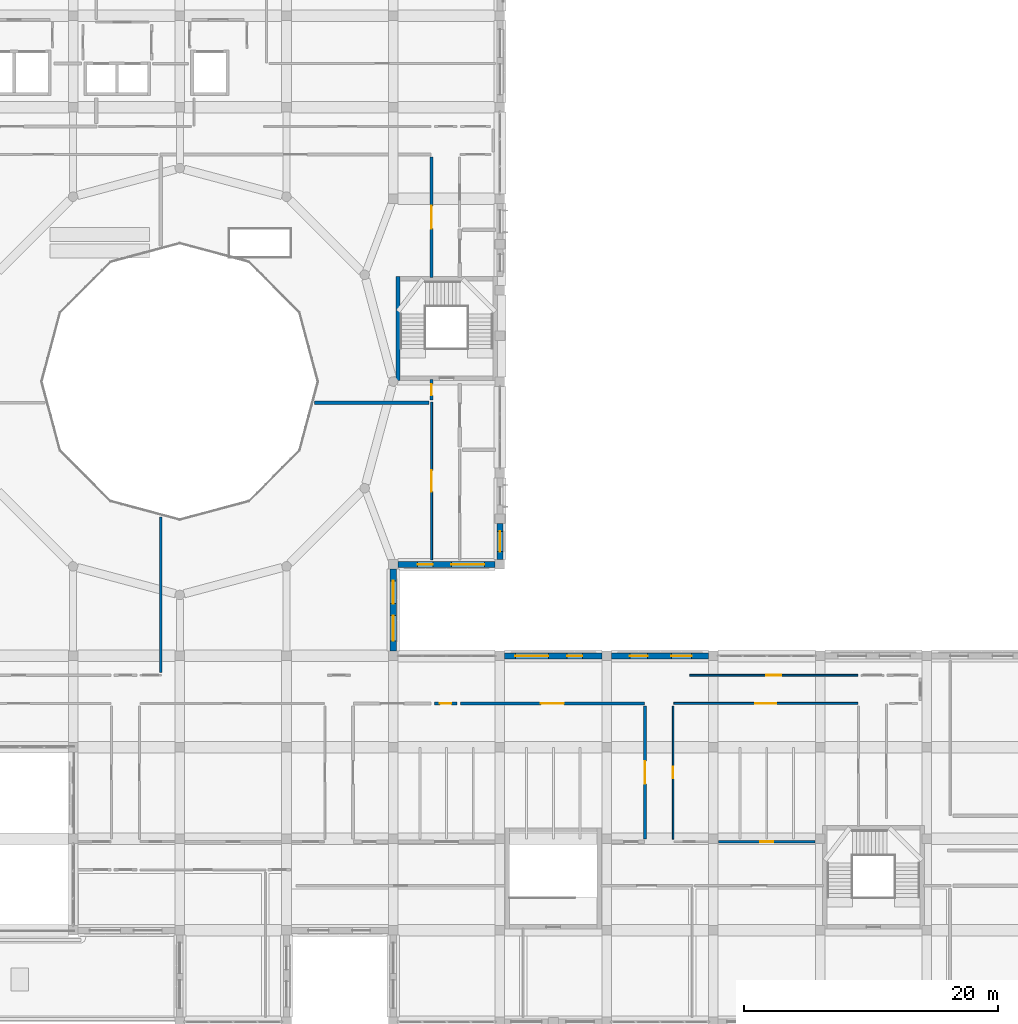
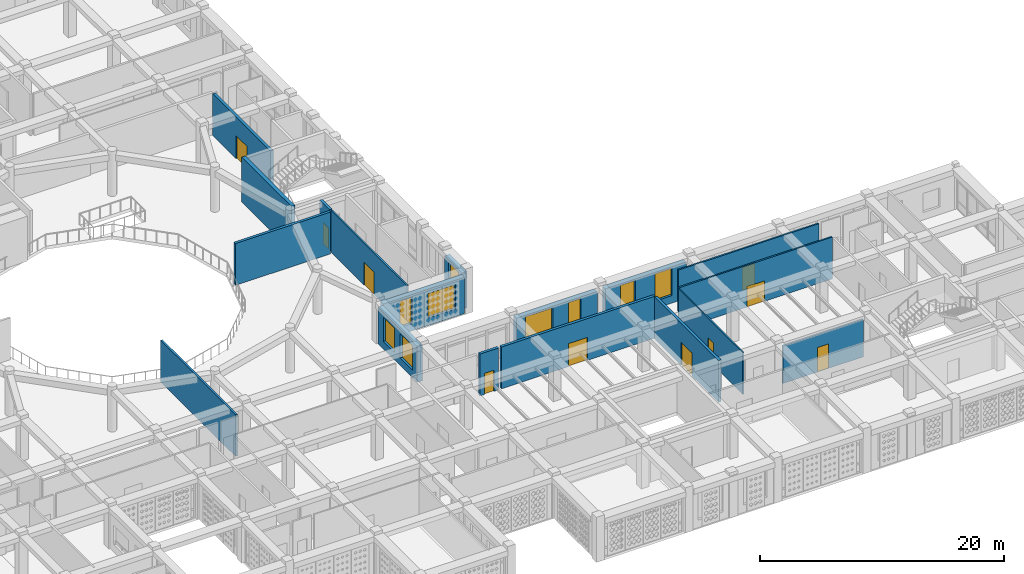
# One storey, part 63 of 111: 18 walls, 10 doors, 9 windows, 19 openings.
"""IFC4 building model written with IfcOpenShell, lengths in metres."""

from ifc_helpers import new_model, si_unit, derived_unit, direction, frame, frame_2d, origin, place, context, subcontext, project, spatial, rectangle, extrude, material, layer, layer_set, type_object, element, fill, save


model = new_model("IFC4")

# Units and contexts
model_context = context("Model", 3, precision=1e-05, world=origin(), true_north=direction((0.0, 1.0)))
body_context = subcontext(model_context, "Body", "Model", "MODEL_VIEW")
ifc_project = project(units=[si_unit("LENGTHUNIT", "METRE"), si_unit("AREAUNIT", "SQUARE_METRE"), si_unit("VOLUMEUNIT", "CUBIC_METRE"), si_unit("PLANEANGLEUNIT", "RADIAN"), si_unit("MASSUNIT", "GRAM", prefix="KILO"), derived_unit("THERMALTRANSMITTANCEUNIT", [(si_unit("POWERUNIT", "WATT"), 1), (si_unit("LENGTHUNIT", "METRE"), -2), (si_unit("THERMODYNAMICTEMPERATUREUNIT", "KELVIN"), -1)])], contexts=[model_context])

# Site, building, storey
site_placement = place(None, origin())
site = spatial("IfcSite", under=ifc_project, at=site_placement, CompositionType="ELEMENT")
building_placement = place(site_placement, origin())
building = spatial("IfcBuilding", under=site, at=building_placement, Name="Veybourne Emporium", CompositionType="ELEMENT")
storey_placement = place(building_placement, frame((0.0, 0.0, 9.89990234375)))
storey = spatial("IfcBuildingStorey", under=building, at=storey_placement, Name="L02", CompositionType="ELEMENT", Elevation=9.89990234375)

# Wall, openings, windows
ifc_material_1 = material(Name="Portland Limestone Ashlar", Category="masonry")
ifc_layer_1 = layer(ifc_material_1, 0.47998046875)
ifc_layer_set_1 = layer_set([ifc_layer_1], Name="Portland Limestone Ashlar")
wall_type_1 = type_object("IfcWallType", Name="ExtWall_EW-01", PredefinedType="SOLIDWALL", material=ifc_layer_set_1)
wall_1_placement = place(storey_placement, frame((92.39990234375, 35.625, 0.0), z_axis=(0.0, 0.0, 1.0), x_axis=(0.0, -1.0, 0.0)))
wall_1 = element("IfcWall", 1, at=wall_1_placement, inside=storey, type_object=wall_type_1, Name="L02 Portland stone external wall 044", PredefinedType="SOLIDWALL", context=body_context, shape_type="SweptSolid", body=[
    extrude(rectangle(XDim=6.449951171875, YDim=0.47998046875, at=frame_2d((3.22509765625, 0.0))), origin(), (0.0, 0.0, 1.0), 3.630126953125),
])
opening_1_placement = place(wall_1_placement, frame((0.906005859375, 0.0, 0.75)))
opening_1 = element("IfcOpeningElement", 2, at=opening_1_placement, cuts=wall_1, Name="Opening W-28", PredefinedType="OPENING", context=body_context, shape_type="SweptSolid", body=[
    extrude(rectangle(XDim=1.800048828125, YDim=2.43994140625, at=frame_2d((0.89990234375, 1.219970703125))), frame((0.0, 0.260009765625, 0.0), z_axis=(0.0, -1.0, 0.0), x_axis=(1.0, 0.0, 0.0)), (0.0, 0.0, 1.0), 0.52001953125),
])
opening_2_placement = place(wall_1_placement, frame((3.64404296875, 0.0, 0.75)))
opening_2 = element("IfcOpeningElement", 3, at=opening_2_placement, cuts=wall_1, Name="Opening W-29", PredefinedType="OPENING", context=body_context, shape_type="SweptSolid", body=[
    extrude(rectangle(XDim=2.0, YDim=2.43994140625, at=frame_2d((1.0, 1.219970703125))), frame((0.0, 0.260009765625, 0.0), z_axis=(0.0, -1.0, 0.0), x_axis=(1.0, 0.0, 0.0)), (0.0, 0.0, 1.0), 0.52001953125),
])
ifc_material_2 = material(Name="Low-E Triple Glazing", Category="glass")
window_type_1 = type_object("IfcWindowType", Name="Win_W-28", PartitioningType="DOUBLE_PANEL_VERTICAL", PredefinedType="WINDOW", material=ifc_material_2)
window_1_placement = place(opening_1_placement, origin())
window_1 = element("IfcWindow", 4, at=window_1_placement, inside=storey, type_object=window_type_1, Name="L02 tripartite bronze casement window W-28 (44.1)", OverallHeight=2.43994140625, OverallWidth=1.800048828125, PartitioningType="DOUBLE_PANEL_VERTICAL", PredefinedType="WINDOW", context=body_context, shape_type="SweptSolid", body=[
    extrude(rectangle(XDim=1.800048828125, YDim=2.43994140625, at=frame_2d((0.89990234375, 1.219970703125))), frame((0.0, 0.030029296875, 0.0), z_axis=(0.0, -1.0, 0.0), x_axis=(1.0, 0.0, 0.0)), (0.0, 0.0, 1.0), 0.06005859375),
])
fill(opening_1, window_1)
window_type_2 = type_object("IfcWindowType", Name="Win_W-29", PartitioningType="TRIPLE_PANEL_VERTICAL", PredefinedType="WINDOW", material=ifc_material_2)
window_2_placement = place(opening_2_placement, origin())
window_2 = element("IfcWindow", 5, at=window_2_placement, inside=storey, type_object=window_type_2, Name="L02 tripartite bronze casement window W-29 (44.2)", OverallHeight=2.43994140625, OverallWidth=2.0, PartitioningType="TRIPLE_PANEL_VERTICAL", PredefinedType="WINDOW", context=body_context, shape_type="SweptSolid", body=[
    extrude(rectangle(XDim=2.0, YDim=2.43994140625, at=frame_2d((1.0, 1.219970703125))), frame((0.0, 0.030029296875, 0.0), z_axis=(0.0, -1.0, 0.0), x_axis=(1.0, 0.0, 0.0)), (0.0, 0.0, 1.0), 0.06005859375),
])
fill(opening_2, window_2)

wall_2_placement = place(storey_placement, frame((100.425048828125, 36.0, 0.0), z_axis=(0.0, 0.0, 1.0), x_axis=(-1.0, 0.0, 0.0)))
wall_2 = element("IfcWall", 6, at=wall_2_placement, inside=storey, type_object=wall_type_1, Name="L02 Portland stone external wall 049", PredefinedType="SOLIDWALL", context=body_context, shape_type="SweptSolid", body=[
    extrude(rectangle(XDim=7.650146484375, YDim=0.47998046875, at=frame_2d((3.8251953125, 0.0))), origin(), (0.0, 0.0, 1.0), 3.630126953125),
])
opening_3_placement = place(wall_2_placement, frame((0.842041015625, 0.0, 0.75)))
opening_3 = element("IfcOpeningElement", 7, at=opening_3_placement, cuts=wall_2, Name="Opening W-32", PredefinedType="OPENING", context=body_context, shape_type="SweptSolid", body=[
    extrude(rectangle(XDim=2.60009765625, YDim=2.43994140625, at=frame_2d((1.300048828125, 1.219970703125))), frame((0.0, 0.260009765625, 0.0), z_axis=(0.0, -1.0, 0.0), x_axis=(1.0, 0.0, 0.0)), (0.0, 0.0, 1.0), 0.52001953125),
])
opening_4_placement = place(wall_2_placement, frame((4.907958984375, 0.0, 0.75)))
opening_4 = element("IfcOpeningElement", 8, at=opening_4_placement, cuts=wall_2, Name="Opening W-33", PredefinedType="OPENING", context=body_context, shape_type="SweptSolid", body=[
    extrude(rectangle(XDim=1.199951171875, YDim=2.6201171875, at=frame_2d((0.60009765625, 1.31005859375))), frame((0.0, 0.260009765625, 0.0), z_axis=(0.0, -1.0, 0.0), x_axis=(1.0, 0.0, 0.0)), (0.0, 0.0, 1.0), 0.52001953125),
])
window_type_3 = type_object("IfcWindowType", Name="Win_W-32", PartitioningType="TRIPLE_PANEL_VERTICAL", PredefinedType="WINDOW", material=ifc_material_2)
window_3_placement = place(opening_3_placement, origin())
window_3 = element("IfcWindow", 9, at=window_3_placement, inside=storey, type_object=window_type_3, Name="L02 tripartite bronze casement window W-32 (49.1)", OverallHeight=2.43994140625, OverallWidth=2.60009765625, PartitioningType="TRIPLE_PANEL_VERTICAL", PredefinedType="WINDOW", context=body_context, shape_type="SweptSolid", body=[
    extrude(rectangle(XDim=2.60009765625, YDim=2.43994140625, at=frame_2d((1.300048828125, 1.219970703125))), frame((0.0, 0.030029296875, 0.0), z_axis=(0.0, -1.0, 0.0), x_axis=(1.0, 0.0, 0.0)), (0.0, 0.0, 1.0), 0.06005859375),
])
fill(opening_3, window_3)
window_type_4 = type_object("IfcWindowType", Name="Win_W-33", PartitioningType="SINGLE_PANEL", PredefinedType="WINDOW", material=ifc_material_2)
window_4_placement = place(opening_4_placement, origin())
window_4 = element("IfcWindow", 10, at=window_4_placement, inside=storey, type_object=window_type_4, Name="L02 tripartite bronze casement window W-33 (49.2)", OverallHeight=2.6201171875, OverallWidth=1.199951171875, PartitioningType="SINGLE_PANEL", PredefinedType="WINDOW", context=body_context, shape_type="SweptSolid", body=[
    extrude(rectangle(XDim=1.199951171875, YDim=2.6201171875, at=frame_2d((0.60009765625, 1.31005859375))), frame((0.0, 0.030029296875, 0.0), z_axis=(0.0, -1.0, 0.0), x_axis=(1.0, 0.0, 0.0)), (0.0, 0.0, 1.0), 0.06005859375),
])
fill(opening_4, window_4)

# Wall, opening, window
wall_3_placement = place(storey_placement, frame((100.800048828125, 39.22998046875, 0.0), z_axis=(0.0, 0.0, 1.0), x_axis=(0.0, -1.0, 0.0)))
wall_3 = element("IfcWall", 11, at=wall_3_placement, inside=storey, type_object=wall_type_1, Name="L02 Portland stone external wall 050B", PredefinedType="SOLIDWALL", context=body_context, shape_type="SweptSolid", body=[
    extrude(rectangle(XDim=2.85498046875, YDim=0.47998046875, at=frame_2d((1.427490234375, 0.0))), origin(), (0.0, 0.0, 1.0), 3.630126953125),
])
opening_5_placement = place(wall_3_placement, frame((0.62744140625, 0.0, 0.75)))
opening_5 = element("IfcOpeningElement", 12, at=opening_5_placement, cuts=wall_3, Name="Opening W-35", PredefinedType="OPENING", context=body_context, shape_type="SweptSolid", body=[
    extrude(rectangle(XDim=1.60009765625, YDim=2.6201171875, at=frame_2d((0.800048828125, 1.31005859375))), frame((0.0, 0.260009765625, 0.0), z_axis=(0.0, -1.0, 0.0), x_axis=(1.0, 0.0, 0.0)), (0.0, 0.0, 1.0), 0.52001953125),
])
window_type_5 = type_object("IfcWindowType", Name="Win_W-35", PartitioningType="DOUBLE_PANEL_VERTICAL", PredefinedType="WINDOW", material=ifc_material_2)
window_5_placement = place(opening_5_placement, origin())
window_5 = element("IfcWindow", 13, at=window_5_placement, inside=storey, type_object=window_type_5, Name="L02 tripartite bronze casement window W-35 (50B)", OverallHeight=2.6201171875, OverallWidth=1.60009765625, PartitioningType="DOUBLE_PANEL_VERTICAL", PredefinedType="WINDOW", context=body_context, shape_type="SweptSolid", body=[
    extrude(rectangle(XDim=1.60009765625, YDim=2.6201171875, at=frame_2d((0.800048828125, 1.31005859375))), frame((0.0, 0.030029296875, 0.0), z_axis=(0.0, -1.0, 0.0), x_axis=(1.0, 0.0, 0.0)), (0.0, 0.0, 1.0), 0.06005859375),
])
fill(opening_5, window_5)

# Wall, openings, windows
wall_4_placement = place(storey_placement, frame((101.175048828125, 28.800048828125, 0.0), z_axis=(0.0, 0.0, 1.0), x_axis=(1.0, 0.0, 0.0)))
wall_4 = element("IfcWall", 14, at=wall_4_placement, inside=storey, type_object=wall_type_1, Name="L02 Portland stone external wall 062", PredefinedType="SOLIDWALL", context=body_context, shape_type="SweptSolid", body=[
    extrude(rectangle(XDim=7.64990234375, YDim=0.47998046875, at=frame_2d((3.824951171875, 0.0))), origin(), (0.0, 0.0, 1.0), 3.630126953125),
])
opening_6_placement = place(wall_4_placement, frame((0.842041015625, 0.0, 0.75)))
opening_6 = element("IfcOpeningElement", 15, at=opening_6_placement, cuts=wall_4, Name="Opening W-48", PredefinedType="OPENING", context=body_context, shape_type="SweptSolid", body=[
    extrude(rectangle(XDim=2.60009765625, YDim=2.72998046875, at=frame_2d((1.300048828125, 1.364990234375))), frame((0.0, 0.260009765625, 0.0), z_axis=(0.0, -1.0, 0.0), x_axis=(1.0, 0.0, 0.0)), (0.0, 0.0, 1.0), 0.52001953125),
])
opening_7_placement = place(wall_4_placement, frame((4.907958984375, 0.0, 0.75)))
opening_7 = element("IfcOpeningElement", 16, at=opening_7_placement, cuts=wall_4, Name="Opening W-49", PredefinedType="OPENING", context=body_context, shape_type="SweptSolid", body=[
    extrude(rectangle(XDim=1.199951171875, YDim=2.72998046875, at=frame_2d((0.60009765625, 1.364990234375))), frame((0.0, 0.260009765625, 0.0), z_axis=(0.0, -1.0, 0.0), x_axis=(1.0, 0.0, 0.0)), (0.0, 0.0, 1.0), 0.52001953125),
])
window_type_6 = type_object("IfcWindowType", Name="Win_W-48", PartitioningType="TRIPLE_PANEL_VERTICAL", PredefinedType="WINDOW", material=ifc_material_2)
window_6_placement = place(opening_6_placement, origin())
window_6 = element("IfcWindow", 17, at=window_6_placement, inside=storey, type_object=window_type_6, Name="L02 tripartite bronze casement window W-48 (62.1)", OverallHeight=2.72998046875, OverallWidth=2.60009765625, PartitioningType="TRIPLE_PANEL_VERTICAL", PredefinedType="WINDOW", context=body_context, shape_type="SweptSolid", body=[
    extrude(rectangle(XDim=2.60009765625, YDim=2.72998046875, at=frame_2d((1.300048828125, 1.364990234375))), frame((0.0, 0.030029296875, 0.0), z_axis=(0.0, -1.0, 0.0), x_axis=(1.0, 0.0, 0.0)), (0.0, 0.0, 1.0), 0.06005859375),
])
fill(opening_6, window_6)
window_type_7 = type_object("IfcWindowType", Name="Win_W-49", PartitioningType="SINGLE_PANEL", PredefinedType="WINDOW", material=ifc_material_2)
window_7_placement = place(opening_7_placement, origin())
window_7 = element("IfcWindow", 18, at=window_7_placement, inside=storey, type_object=window_type_7, Name="L02 tripartite bronze casement window W-49 (62.2)", OverallHeight=2.72998046875, OverallWidth=1.199951171875, PartitioningType="SINGLE_PANEL", PredefinedType="WINDOW", context=body_context, shape_type="SweptSolid", body=[
    extrude(rectangle(XDim=1.199951171875, YDim=2.72998046875, at=frame_2d((0.60009765625, 1.364990234375))), frame((0.0, 0.030029296875, 0.0), z_axis=(0.0, -1.0, 0.0), x_axis=(1.0, 0.0, 0.0)), (0.0, 0.0, 1.0), 0.06005859375),
])
fill(opening_7, window_7)

wall_5_placement = place(storey_placement, frame((109.574951171875, 28.800048828125, 0.0), z_axis=(0.0, 0.0, 1.0), x_axis=(1.0, 0.0, 0.0)))
wall_5 = element("IfcWall", 19, at=wall_5_placement, inside=storey, type_object=wall_type_1, Name="L02 Portland stone external wall 064", PredefinedType="SOLIDWALL", context=body_context, shape_type="SweptSolid", body=[
    extrude(rectangle(XDim=7.650146484375, YDim=0.47998046875, at=frame_2d((3.8251953125, 0.0))), origin(), (0.0, 0.0, 1.0), 3.630126953125),
])
opening_8_placement = place(wall_5_placement, frame((1.44189453125, 0.0, 0.75)))
opening_8 = element("IfcOpeningElement", 20, at=opening_8_placement, cuts=wall_5, Name="Opening W-50", PredefinedType="OPENING", context=body_context, shape_type="SweptSolid", body=[
    extrude(rectangle(XDim=1.39990234375, YDim=2.72998046875, at=frame_2d((0.699951171875, 1.364990234375))), frame((0.0, 0.260009765625, 0.0), z_axis=(0.0, -1.0, 0.0), x_axis=(1.0, 0.0, 0.0)), (0.0, 0.0, 1.0), 0.52001953125),
])
opening_9_placement = place(wall_5_placement, frame((4.7080078125, 0.0, 0.75)))
opening_9 = element("IfcOpeningElement", 21, at=opening_9_placement, cuts=wall_5, Name="Opening W-51", PredefinedType="OPENING", context=body_context, shape_type="SweptSolid", body=[
    extrude(rectangle(XDim=1.60009765625, YDim=2.72998046875, at=frame_2d((0.800048828125, 1.364990234375))), frame((0.0, 0.260009765625, 0.0), z_axis=(0.0, -1.0, 0.0), x_axis=(1.0, 0.0, 0.0)), (0.0, 0.0, 1.0), 0.52001953125),
])
window_type_8 = type_object("IfcWindowType", Name="Win_W-50", PartitioningType="DOUBLE_PANEL_VERTICAL", PredefinedType="WINDOW", material=ifc_material_2)
window_8_placement = place(opening_8_placement, origin())
window_8 = element("IfcWindow", 22, at=window_8_placement, inside=storey, type_object=window_type_8, Name="L02 tripartite bronze casement window W-50 (64.1)", OverallHeight=2.72998046875, OverallWidth=1.39990234375, PartitioningType="DOUBLE_PANEL_VERTICAL", PredefinedType="WINDOW", context=body_context, shape_type="SweptSolid", body=[
    extrude(rectangle(XDim=1.39990234375, YDim=2.72998046875, at=frame_2d((0.699951171875, 1.364990234375))), frame((0.0, 0.030029296875, 0.0), z_axis=(0.0, -1.0, 0.0), x_axis=(1.0, 0.0, 0.0)), (0.0, 0.0, 1.0), 0.06005859375),
])
fill(opening_8, window_8)
window_type_9 = type_object("IfcWindowType", Name="Win_W-51", PartitioningType="DOUBLE_PANEL_VERTICAL", PredefinedType="WINDOW", material=ifc_material_2)
window_9_placement = place(opening_9_placement, origin())
window_9 = element("IfcWindow", 23, at=window_9_placement, inside=storey, type_object=window_type_9, Name="L02 tripartite bronze casement window W-51 (64.2)", OverallHeight=2.72998046875, OverallWidth=1.60009765625, PartitioningType="DOUBLE_PANEL_VERTICAL", PredefinedType="WINDOW", context=body_context, shape_type="SweptSolid", body=[
    extrude(rectangle(XDim=1.60009765625, YDim=2.72998046875, at=frame_2d((0.800048828125, 1.364990234375))), frame((0.0, 0.030029296875, 0.0), z_axis=(0.0, -1.0, 0.0), x_axis=(1.0, 0.0, 0.0)), (0.0, 0.0, 1.0), 0.06005859375),
])
fill(opening_9, window_9)

# Wall
ifc_material_3 = material(Name="Concrete C40/50", Category="concrete")
ifc_layer_2 = layer(ifc_material_3, 0.35009765625)
ifc_layer_set_2 = layer_set([ifc_layer_2], Name="Concrete C40/50")
wall_type_2 = type_object("IfcWallType", Name="IntWall_CW-02", PredefinedType="SHEAR", material=ifc_layer_set_2)
wall_6_placement = place(storey_placement, frame((92.77490234375, 58.64990234375, 0.0), z_axis=(0.0, 0.0, 1.0), x_axis=(0.0, -1.0, 0.0)))
element("IfcWall", 24, at=wall_6_placement, inside=storey, type_object=wall_type_2, Name="Core stair ST-07 west shear wall (L02)", PredefinedType="SHEAR", context=body_context, shape_type="SweptSolid", body=[
    extrude(rectangle(XDim=8.14990234375, YDim=0.35009765625, at=frame_2d((4.074951171875, 0.0))), origin(), (0.0, 0.0, 1.0), 4.5),
])

# Wall, opening, door
ifc_material_4 = material(Name="Concrete C32/40", Category="concrete")
ifc_layer_3 = layer(ifc_material_4, 0.25)
ifc_layer_set_3 = layer_set([ifc_layer_3], Name="Concrete C32/40")
wall_type_3 = type_object("IfcWallType", Name="IntWall_FW-01", PredefinedType="SOLIDWALL", material=ifc_layer_set_3)
wall_7_placement = place(storey_placement, frame((97.679931640625, 25.070068359375, 0.0), z_axis=(0.0, 0.0, 1.0), x_axis=(1.0, 0.0, 0.0)))
wall_7 = element("IfcWall", 25, at=wall_7_placement, inside=storey, type_object=wall_type_3, Name="L02 interior partition FW-01 #021", PredefinedType="SOLIDWALL", context=body_context, shape_type="SweptSolid", body=[
    extrude(rectangle(XDim=14.489990234375, YDim=0.25, at=frame_2d((7.2451171875, 0.0))), origin(), (0.0, 0.0, 1.0), 4.18017578125),
])
opening_10_placement = place(wall_7_placement, frame((6.344970703125, 0.0, 0.0)))
opening_10 = element("IfcOpeningElement", 26, at=opening_10_placement, cuts=wall_7, Name="Opening FD-03", PredefinedType="OPENING", context=body_context, shape_type="SweptSolid", body=[
    extrude(rectangle(XDim=1.800048828125, YDim=2.300048828125, at=frame_2d((0.89990234375, 1.14990234375))), frame((0.0, 0.14501953125, 0.0), z_axis=(0.0, -1.0, 0.0), x_axis=(1.0, 0.0, 0.0)), (0.0, 0.0, 1.0), 0.2900390625),
])
ifc_material_5 = material(Name="Patinated Architectural Bronze", Category="bronze")
door_type_1 = type_object("IfcDoorType", Name="FireDoor_FD-03", OperationType="DOUBLE_DOOR_SINGLE_SWING", PredefinedType="DOOR", material=ifc_material_5)
door_1_placement = place(opening_10_placement, origin())
door_1 = element("IfcDoor", 27, at=door_1_placement, inside=storey, type_object=door_type_1, Name="L02 interior door FD-03 (PART-L02-021)", OperationType="DOUBLE_DOOR_SINGLE_SWING", OverallHeight=2.300048828125, OverallWidth=1.800048828125, PredefinedType="DOOR", context=body_context, shape_type="SweptSolid", body=[
    extrude(rectangle(XDim=1.800048828125, YDim=2.300048828125, at=frame_2d((0.89990234375, 1.14990234375))), frame((0.0, 0.02490234375, 0.0), z_axis=(0.0, -1.0, 0.0), x_axis=(1.0, 0.0, 0.0)), (0.0, 0.0, 1.0), 0.050048828125),
])
fill(opening_10, door_1)

wall_8_placement = place(storey_placement, frame((112.219970703125, 14.389892578125, 0.0), z_axis=(0.0, 0.0, 1.0), x_axis=(0.0, 1.0, 0.0)))
wall_8 = element("IfcWall", 28, at=wall_8_placement, inside=storey, type_object=wall_type_3, Name="L02 interior partition FW-01 #063", PredefinedType="SOLIDWALL", context=body_context, shape_type="SweptSolid", body=[
    extrude(rectangle(XDim=10.47021484375, YDim=0.25, at=frame_2d((5.235107421875, 0.0))), origin(), (0.0, 0.0, 1.0), 4.18017578125),
])
opening_11_placement = place(wall_8_placement, frame((4.3349609375, 0.0, 0.0)))
opening_11 = element("IfcOpeningElement", 29, at=opening_11_placement, cuts=wall_8, Name="Opening FD-03", PredefinedType="OPENING", context=body_context, shape_type="SweptSolid", body=[
    extrude(rectangle(XDim=1.800048828125, YDim=2.300048828125, at=frame_2d((0.89990234375, 1.14990234375))), frame((0.0, 0.14501953125, 0.0), z_axis=(0.0, -1.0, 0.0), x_axis=(1.0, 0.0, 0.0)), (0.0, 0.0, 1.0), 0.2900390625),
])
door_2_placement = place(opening_11_placement, origin())
door_2 = element("IfcDoor", 30, at=door_2_placement, inside=storey, type_object=door_type_1, Name="L02 interior door FD-03 (PART-L02-063)", OperationType="DOUBLE_DOOR_SINGLE_SWING", OverallHeight=2.300048828125, OverallWidth=1.800048828125, PredefinedType="DOOR", context=body_context, shape_type="SweptSolid", body=[
    extrude(rectangle(XDim=1.800048828125, YDim=2.300048828125, at=frame_2d((0.89990234375, 1.14990234375))), frame((0.0, 0.02490234375, 0.0), z_axis=(0.0, -1.0, 0.0), x_axis=(1.0, 0.0, 0.0)), (0.0, 0.0, 1.0), 0.050048828125),
])
fill(opening_11, door_2)

wall_9_placement = place(storey_placement, frame((95.419921875, 58.590087890625, 0.0), z_axis=(0.0, 0.0, 1.0), x_axis=(0.0, 1.0, 0.0)))
wall_9 = element("IfcWall", 31, at=wall_9_placement, inside=storey, type_object=wall_type_3, Name="L02 interior partition FW-01 #073", PredefinedType="SOLIDWALL", context=body_context, shape_type="SweptSolid", body=[
    extrude(rectangle(XDim=9.469970703125, YDim=0.25, at=frame_2d((4.73486328125, 0.0))), origin(), (0.0, 0.0, 1.0), 4.18017578125),
])
opening_12_placement = place(wall_9_placement, frame((3.8349609375, 0.0, 0.0)))
opening_12 = element("IfcOpeningElement", 32, at=opening_12_placement, cuts=wall_9, Name="Opening FD-03", PredefinedType="OPENING", context=body_context, shape_type="SweptSolid", body=[
    extrude(rectangle(XDim=1.800048828125, YDim=2.300048828125, at=frame_2d((0.89990234375, 1.14990234375))), frame((0.0, 0.14501953125, 0.0), z_axis=(0.0, -1.0, 0.0), x_axis=(1.0, 0.0, 0.0)), (0.0, 0.0, 1.0), 0.2900390625),
])
door_3_placement = place(opening_12_placement, origin())
door_3 = element("IfcDoor", 33, at=door_3_placement, inside=storey, type_object=door_type_1, Name="L02 interior door FD-03 (PART-L02-073)", OperationType="DOUBLE_DOOR_SINGLE_SWING", OverallHeight=2.300048828125, OverallWidth=1.800048828125, PredefinedType="DOOR", context=body_context, shape_type="SweptSolid", body=[
    extrude(rectangle(XDim=1.800048828125, YDim=2.300048828125, at=frame_2d((0.89990234375, 1.14990234375))), frame((0.0, 0.02490234375, 0.0), z_axis=(0.0, -1.0, 0.0), x_axis=(1.0, 0.0, 0.0)), (0.0, 0.0, 1.0), 0.050048828125),
])
fill(opening_12, door_3)

wall_10_placement = place(storey_placement, frame((95.6298828125, 25.070068359375, 0.0), z_axis=(0.0, 0.0, 1.0), x_axis=(1.0, 0.0, 0.0)))
wall_10 = element("IfcWall", 34, at=wall_10_placement, inside=storey, type_object=wall_type_3, Name="L02 interior partition FW-01 #152", PredefinedType="SOLIDWALL", context=body_context, shape_type="SweptSolid", body=[
    extrude(rectangle(XDim=1.7900390625, YDim=0.25, at=frame_2d((0.89501953125, 0.0))), origin(), (0.0, 0.0, 1.0), 4.18017578125),
])
opening_13_placement = place(wall_10_placement, frame((0.445068359375, 0.0, 0.0)))
opening_13 = element("IfcOpeningElement", 35, at=opening_13_placement, cuts=wall_10, Name="Opening FD-04", PredefinedType="OPENING", context=body_context, shape_type="SweptSolid", body=[
    extrude(rectangle(XDim=0.89990234375, YDim=2.10009765625, at=frame_2d((0.449951171875, 1.050048828125))), frame((0.0, 0.14501953125, 0.0), z_axis=(0.0, -1.0, 0.0), x_axis=(1.0, 0.0, 0.0)), (0.0, 0.0, 1.0), 0.2900390625),
])
door_type_2 = type_object("IfcDoorType", Name="FireDoor_FD-04", OperationType="NOTDEFINED", PredefinedType="DOOR", material=ifc_material_5)
door_4_placement = place(opening_13_placement, origin())
door_4 = element("IfcDoor", 36, at=door_4_placement, inside=storey, type_object=door_type_2, Name="L02 interior door FD-04 (PART-L02-152)", OperationType="SINGLE_SWING_RIGHT", OverallHeight=2.10009765625, OverallWidth=0.89990234375, PredefinedType="DOOR", context=body_context, shape_type="SweptSolid", body=[
    extrude(rectangle(XDim=0.89990234375, YDim=2.10009765625, at=frame_2d((0.449951171875, 1.050048828125))), frame((0.0, 0.02490234375, 0.0), z_axis=(0.0, -1.0, 0.0), x_axis=(1.0, 0.0, 0.0)), (0.0, 0.0, 1.0), 0.050048828125),
])
fill(opening_13, door_4)

wall_11_placement = place(storey_placement, frame((95.419921875, 48.93994140625, 0.0), z_axis=(0.0, 0.0, 1.0), x_axis=(0.0, 1.0, 0.0)))
wall_11 = element("IfcWall", 37, at=wall_11_placement, inside=storey, type_object=wall_type_3, Name="L02 interior partition FW-01 #159", PredefinedType="SOLIDWALL", context=body_context, shape_type="SweptSolid", body=[
    extrude(rectangle(XDim=1.6201171875, YDim=0.25, at=frame_2d((0.81005859375, 0.0))), origin(), (0.0, 0.0, 1.0), 4.18017578125),
])
opening_14_placement = place(wall_11_placement, frame((0.360107421875, 0.0, 0.0)))
opening_14 = element("IfcOpeningElement", 38, at=opening_14_placement, cuts=wall_11, Name="Opening FD-04", PredefinedType="OPENING", context=body_context, shape_type="SweptSolid", body=[
    extrude(rectangle(XDim=0.89990234375, YDim=2.10009765625, at=frame_2d((0.449951171875, 1.050048828125))), frame((0.0, 0.14501953125, 0.0), z_axis=(0.0, -1.0, 0.0), x_axis=(1.0, 0.0, 0.0)), (0.0, 0.0, 1.0), 0.2900390625),
])
door_5_placement = place(opening_14_placement, origin())
door_5 = element("IfcDoor", 39, at=door_5_placement, inside=storey, type_object=door_type_2, Name="L02 interior door FD-04 (PART-L02-159)", OperationType="SINGLE_SWING_LEFT", OverallHeight=2.10009765625, OverallWidth=0.89990234375, PredefinedType="DOOR", context=body_context, shape_type="SweptSolid", body=[
    extrude(rectangle(XDim=0.89990234375, YDim=2.10009765625, at=frame_2d((0.449951171875, 1.050048828125))), frame((0.0, 0.02490234375, 0.0), z_axis=(0.0, -1.0, 0.0), x_axis=(1.0, 0.0, 0.0)), (0.0, 0.0, 1.0), 0.050048828125),
])
fill(opening_14, door_5)

# Wall
wall_12_placement = place(storey_placement, frame((86.216064453125, 48.72998046875, 0.0), z_axis=(0.0, 0.0, 1.0), x_axis=(1.0, 0.0, 0.0)))
element("IfcWall", 40, at=wall_12_placement, inside=storey, type_object=wall_type_3, Name="L02 interior partition FW-01 #187", PredefinedType="SOLIDWALL", context=body_context, shape_type="SweptSolid", body=[
    extrude(rectangle(XDim=8.993896484375, YDim=0.25, at=frame_2d((4.4970703125, 0.0))), origin(), (0.0, 0.0, 1.0), 4.18017578125),
])

# Wall, opening, door
ifc_material_6 = material(Name="Gypsum Acoustic Board", Category="gypsum")
ifc_layer_4 = layer(ifc_material_6, 0.179931640625)
ifc_layer_set_4 = layer_set([ifc_layer_4], Name="Gypsum Acoustic Board")
wall_type_4 = type_object("IfcWallType", Name="IntWall_IW-01", PredefinedType="PARTITIONING", material=ifc_layer_set_4)
wall_13_placement = place(storey_placement, frame((117.9951171875, 14.179931640625, 0.0), z_axis=(0.0, 0.0, 1.0), x_axis=(1.0, 0.0, 0.0)))
wall_13 = element("IfcWall", 41, at=wall_13_placement, inside=storey, type_object=wall_type_4, Name="L02 interior partition IW-01 #048", PredefinedType="PARTITIONING", context=body_context, shape_type="SweptSolid", body=[
    extrude(rectangle(XDim=7.60986328125, YDim=0.179931640625, at=frame_2d((3.804931640625, 0.0))), origin(), (0.0, 0.0, 1.0), 3.72998046875),
])
opening_15_placement = place(wall_13_placement, frame((3.284912109375, 0.0, 0.0)))
opening_15 = element("IfcOpeningElement", 42, at=opening_15_placement, cuts=wall_13, Name="Opening D-32", PredefinedType="OPENING", context=body_context, shape_type="SweptSolid", body=[
    extrude(rectangle(XDim=1.0400390625, YDim=2.449951171875, at=frame_2d((0.52001953125, 1.22509765625))), frame((0.0, 0.10986328125, 0.0), z_axis=(0.0, -1.0, 0.0), x_axis=(1.0, 0.0, 0.0)), (0.0, 0.0, 1.0), 0.219970703125),
])
ifc_material_7 = material(Name="European Oak Veneer and Bronze", Category="wood")
door_type_3 = type_object("IfcDoorType", Name="IntDoor_D-32", OperationType="NOTDEFINED", PredefinedType="DOOR", material=ifc_material_7)
door_6_placement = place(opening_15_placement, origin())
door_6 = element("IfcDoor", 43, at=door_6_placement, inside=storey, type_object=door_type_3, Name="L02 interior door D-32 (PART-L02-048)", OperationType="SINGLE_SWING_LEFT", OverallHeight=2.449951171875, OverallWidth=1.0400390625, PredefinedType="DOOR", context=body_context, shape_type="SweptSolid", body=[
    extrude(rectangle(XDim=1.0400390625, YDim=2.449951171875, at=frame_2d((0.52001953125, 1.22509765625))), frame((0.0, 0.02490234375, 0.0), z_axis=(0.0, -1.0, 0.0), x_axis=(1.0, 0.0, 0.0)), (0.0, 0.0, 1.0), 0.050048828125),
])
fill(opening_15, door_6)

# Wall
wall_14_placement = place(storey_placement, frame((74.10498046875, 27.489990234375, 0.0), z_axis=(0.0, 0.0, 1.0), x_axis=(0.0, 1.0, 0.0)))
element("IfcWall", 44, at=wall_14_placement, inside=storey, type_object=wall_type_4, Name="L02 interior partition IW-01 #177", PredefinedType="PARTITIONING", context=body_context, shape_type="SweptSolid", body=[
    extrude(rectangle(XDim=12.2470703125, YDim=0.179931640625, at=frame_2d((6.12353515625, 0.0))), origin(), (0.0, 0.0, 1.0), 4.18017578125),
])

# Wall, opening, door
ifc_layer_5 = layer(ifc_material_6, 0.14990234375)
ifc_layer_set_5 = layer_set([ifc_layer_5], Name="Gypsum Acoustic Board")
wall_type_5 = type_object("IfcWallType", Name="IntWall_IW-02", PredefinedType="PARTITIONING", material=ifc_layer_set_5)
wall_15_placement = place(storey_placement, frame((114.47998046875, 25.070068359375, 0.0), z_axis=(0.0, 0.0, 1.0), x_axis=(1.0, 0.0, 0.0)))
wall_15 = element("IfcWall", 45, at=wall_15_placement, inside=storey, type_object=wall_type_5, Name="L02 interior partition IW-02 #022", PredefinedType="PARTITIONING", context=body_context, shape_type="SweptSolid", body=[
    extrude(rectangle(XDim=14.489990234375, YDim=0.14990234375, at=frame_2d((7.2451171875, 0.0))), origin(), (0.0, 0.0, 1.0), 4.18017578125),
])
opening_16_placement = place(wall_15_placement, frame((6.405029296875, 0.0, 0.0)))
opening_16 = element("IfcOpeningElement", 46, at=opening_16_placement, cuts=wall_15, Name="Opening D-06", PredefinedType="OPENING", context=body_context, shape_type="SweptSolid", body=[
    extrude(rectangle(XDim=1.679931640625, YDim=2.050048828125, at=frame_2d((0.83984375, 1.02490234375))), frame((0.0, 0.094970703125, 0.0), z_axis=(0.0, -1.0, 0.0), x_axis=(1.0, 0.0, 0.0)), (0.0, 0.0, 1.0), 0.18994140625),
])
door_type_4 = type_object("IfcDoorType", Name="IntDoor_D-06", OperationType="DOUBLE_DOOR_SINGLE_SWING", PredefinedType="DOOR", material=ifc_material_7)
door_7_placement = place(opening_16_placement, origin())
door_7 = element("IfcDoor", 47, at=door_7_placement, inside=storey, type_object=door_type_4, Name="L02 interior door D-06 (PART-L02-022)", OperationType="DOUBLE_DOOR_SINGLE_SWING", OverallHeight=2.050048828125, OverallWidth=1.679931640625, PredefinedType="DOOR", context=body_context, shape_type="SweptSolid", body=[
    extrude(rectangle(XDim=1.679931640625, YDim=2.050048828125, at=frame_2d((0.83984375, 1.02490234375))), frame((0.0, 0.02490234375, 0.0), z_axis=(0.0, -1.0, 0.0), x_axis=(1.0, 0.0, 0.0)), (0.0, 0.0, 1.0), 0.050048828125),
])
fill(opening_16, door_7)

wall_16_placement = place(storey_placement, frame((115.719970703125, 27.280029296875, 0.0), z_axis=(0.0, 0.0, 1.0), x_axis=(1.0, 0.0, 0.0)))
wall_16 = element("IfcWall", 48, at=wall_16_placement, inside=storey, type_object=wall_type_5, Name="L02 interior partition IW-02 #037", PredefinedType="PARTITIONING", context=body_context, shape_type="SweptSolid", body=[
    extrude(rectangle(XDim=13.25, YDim=0.14990234375, at=frame_2d((6.625, 0.0))), origin(), (0.0, 0.0, 1.0), 4.18017578125),
])
opening_17_placement = place(wall_16_placement, frame((6.02490234375, 0.0, 0.0)))
opening_17 = element("IfcOpeningElement", 49, at=opening_17_placement, cuts=wall_16, Name="Opening D-21", PredefinedType="OPENING", context=body_context, shape_type="SweptSolid", body=[
    extrude(rectangle(XDim=1.199951171875, YDim=2.2900390625, at=frame_2d((0.60009765625, 1.14501953125))), frame((0.0, 0.094970703125, 0.0), z_axis=(0.0, -1.0, 0.0), x_axis=(1.0, 0.0, 0.0)), (0.0, 0.0, 1.0), 0.18994140625),
])
door_type_5 = type_object("IfcDoorType", Name="IntDoor_D-21", OperationType="NOTDEFINED", PredefinedType="DOOR", material=ifc_material_7)
door_8_placement = place(opening_17_placement, origin())
door_8 = element("IfcDoor", 50, at=door_8_placement, inside=storey, type_object=door_type_5, Name="L02 interior door D-21 (PART-L02-037)", OperationType="SINGLE_SWING_RIGHT", OverallHeight=2.2900390625, OverallWidth=1.199951171875, PredefinedType="DOOR", context=body_context, shape_type="SweptSolid", body=[
    extrude(rectangle(XDim=1.199951171875, YDim=2.2900390625, at=frame_2d((0.60009765625, 1.14501953125))), frame((0.0, 0.02490234375, 0.0), z_axis=(0.0, -1.0, 0.0), x_axis=(1.0, 0.0, 0.0)), (0.0, 0.0, 1.0), 0.050048828125),
])
fill(opening_17, door_8)

wall_17_placement = place(storey_placement, frame((95.419921875, 36.3701171875, 0.0), z_axis=(0.0, 0.0, 1.0), x_axis=(0.0, 1.0, 0.0)))
wall_17 = element("IfcWall", 51, at=wall_17_placement, inside=storey, type_object=wall_type_5, Name="L02 interior partition IW-02 #040", PredefinedType="PARTITIONING", context=body_context, shape_type="SweptSolid", body=[
    extrude(rectangle(XDim=12.409912109375, YDim=0.14990234375, at=frame_2d((6.205078125, 0.0))), origin(), (0.0, 0.0, 1.0), 4.18017578125),
])
opening_18_placement = place(wall_17_placement, frame((5.364990234375, 0.0, 0.0)))
opening_18 = element("IfcOpeningElement", 52, at=opening_18_placement, cuts=wall_17, Name="Opening D-24", PredefinedType="OPENING", context=body_context, shape_type="SweptSolid", body=[
    extrude(rectangle(XDim=1.679931640625, YDim=2.2900390625, at=frame_2d((0.83984375, 1.14501953125))), frame((0.0, 0.094970703125, 0.0), z_axis=(0.0, -1.0, 0.0), x_axis=(1.0, 0.0, 0.0)), (0.0, 0.0, 1.0), 0.18994140625),
])
door_type_6 = type_object("IfcDoorType", Name="IntDoor_D-24", OperationType="DOUBLE_DOOR_SINGLE_SWING", PredefinedType="DOOR", material=ifc_material_7)
door_9_placement = place(opening_18_placement, origin())
door_9 = element("IfcDoor", 53, at=door_9_placement, inside=storey, type_object=door_type_6, Name="L02 interior door D-24 (PART-L02-040)", OperationType="DOUBLE_DOOR_SINGLE_SWING", OverallHeight=2.2900390625, OverallWidth=1.679931640625, PredefinedType="DOOR", context=body_context, shape_type="SweptSolid", body=[
    extrude(rectangle(XDim=1.679931640625, YDim=2.2900390625, at=frame_2d((0.83984375, 1.14501953125))), frame((0.0, 0.02490234375, 0.0), z_axis=(0.0, -1.0, 0.0), x_axis=(1.0, 0.0, 0.0)), (0.0, 0.0, 1.0), 0.050048828125),
])
fill(opening_18, door_9)

ifc_layer_6 = layer(ifc_material_6, 0.1201171875)
ifc_layer_set_6 = layer_set([ifc_layer_6], Name="Gypsum Acoustic Board")
wall_type_6 = type_object("IfcWallType", Name="IntWall_IW-03", PredefinedType="PARTITIONING", material=ifc_layer_set_6)
wall_18_placement = place(storey_placement, frame((114.429931640625, 14.389892578125, 0.0), z_axis=(0.0, 0.0, 1.0), x_axis=(0.0, 1.0, 0.0)))
wall_18 = element("IfcWall", 54, at=wall_18_placement, inside=storey, type_object=wall_type_6, Name="L02 interior partition IW-03 #065", PredefinedType="PARTITIONING", context=body_context, shape_type="SweptSolid", body=[
    extrude(rectangle(XDim=10.47021484375, YDim=0.1201171875, at=frame_2d((5.235107421875, 0.0))), origin(), (0.0, 0.0, 1.0), 4.18017578125),
])
opening_19_placement = place(wall_18_placement, frame((4.794921875, 0.0, 0.0)))
opening_19 = element("IfcOpeningElement", 55, at=opening_19_placement, cuts=wall_18, Name="Opening D-13", PredefinedType="OPENING", context=body_context, shape_type="SweptSolid", body=[
    extrude(rectangle(XDim=0.8798828125, YDim=2.2099609375, at=frame_2d((0.43994140625, 1.10498046875))), frame((0.0, 0.080078125, 0.0), z_axis=(0.0, -1.0, 0.0), x_axis=(1.0, 0.0, 0.0)), (0.0, 0.0, 1.0), 0.16015625),
])
door_type_7 = type_object("IfcDoorType", Name="IntDoor_D-13", OperationType="NOTDEFINED", PredefinedType="DOOR", material=ifc_material_7)
door_10_placement = place(opening_19_placement, origin())
door_10 = element("IfcDoor", 56, at=door_10_placement, inside=storey, type_object=door_type_7, Name="L02 interior door D-13 (PART-L02-065)", OperationType="SINGLE_SWING_RIGHT", OverallHeight=2.2099609375, OverallWidth=0.8798828125, PredefinedType="DOOR", context=body_context, shape_type="SweptSolid", body=[
    extrude(rectangle(XDim=0.8798828125, YDim=2.2099609375, at=frame_2d((0.43994140625, 1.10498046875))), frame((0.0, 0.02490234375, 0.0), z_axis=(0.0, -1.0, 0.0), x_axis=(1.0, 0.0, 0.0)), (0.0, 0.0, 1.0), 0.050048828125),
])
fill(opening_19, door_10)

save(model, "model.ifc")
